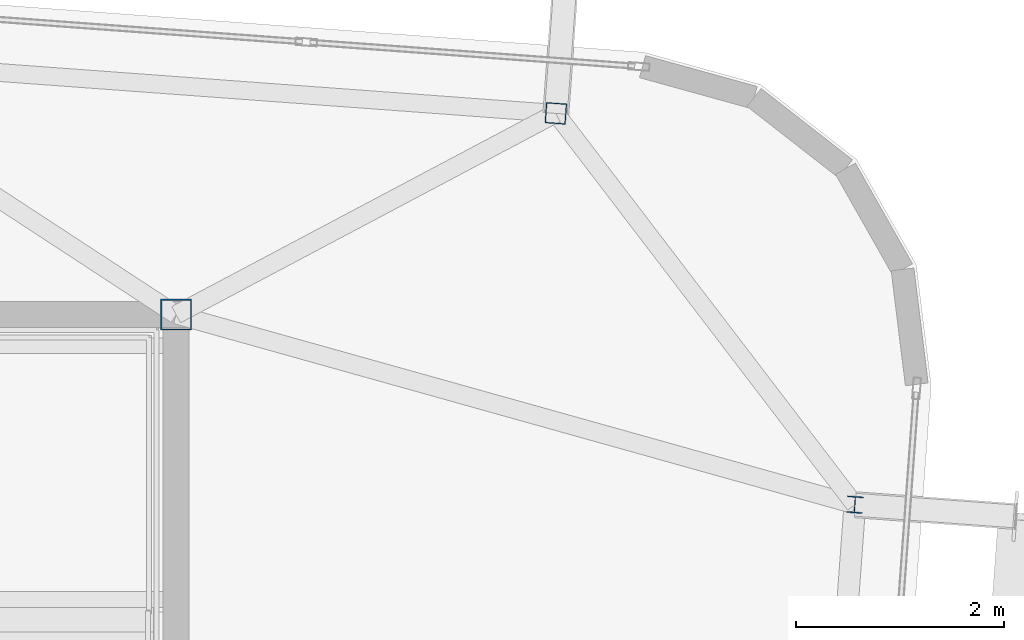
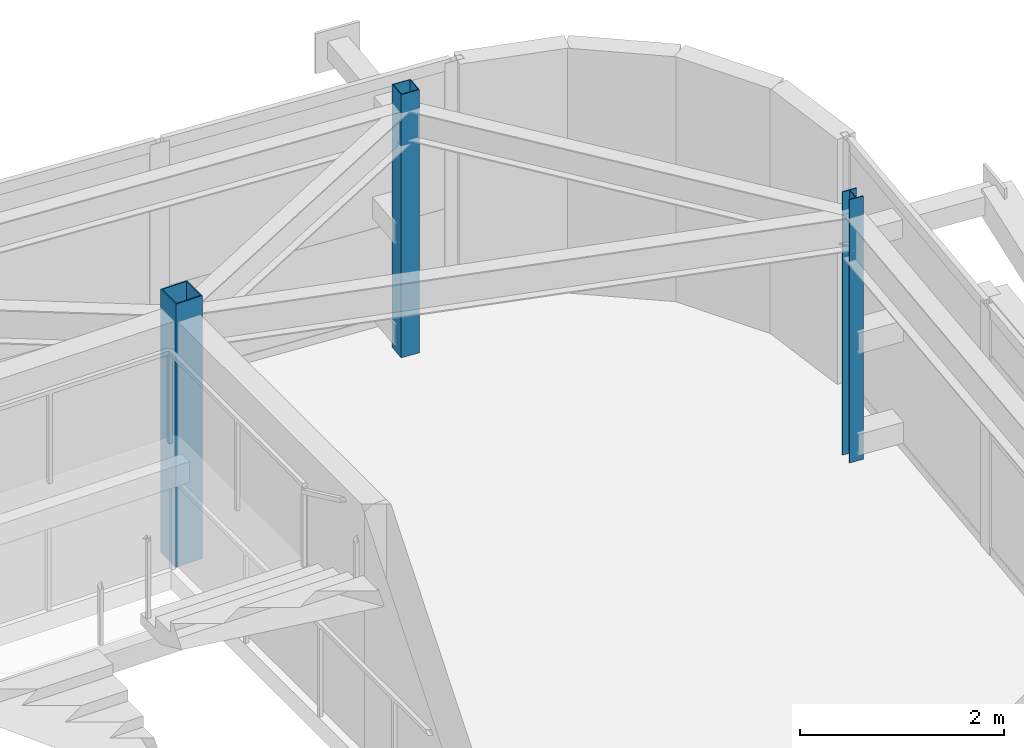
# One storey, part 6 of 42: 3 columns.
"""IFC4 building model written with IfcOpenShell, lengths in metres."""

from ifc_helpers import new_model, si_unit, direction, frame, origin, origin_2d, place, context, subcontext, project, spatial, hollow_rectangle, i_section, extrude, source, transform, mapped, material, material_profile, profile_set, type_object, element, save


model = new_model("IFC4")

# Units and contexts
model_context = context("Model", 3, precision=1e-05, world=origin(), true_north=direction((0.0, 1.0)))
body_context = subcontext(model_context, "Body", "Model", "MODEL_VIEW")
ifc_project = project(units=[si_unit("LENGTHUNIT", "METRE"), si_unit("AREAUNIT", "SQUARE_METRE"), si_unit("VOLUMEUNIT", "CUBIC_METRE"), si_unit("PLANEANGLEUNIT", "RADIAN"), si_unit("MASSUNIT", "GRAM", prefix="KILO")], contexts=[model_context])

# Site, building, storey
site_placement = place(None, origin())
site = spatial("IfcSite", under=ifc_project, at=site_placement, CompositionType="ELEMENT")
building_placement = place(site_placement, origin())
building = spatial("IfcBuilding", under=site, at=building_placement, Name="Taldren Reach Tower", CompositionType="ELEMENT")
storey_placement = place(building_placement, frame((0.0, 0.0, 220.85009765625)))
storey = spatial("IfcBuildingStorey", under=building, at=storey_placement, Name="L67", CompositionType="ELEMENT", Elevation=220.85009765625)

# Columns
ifc_material_1 = material(Name="Steel Gr 450 (C450L0)", Category="steel")
ifc_material_profile_1 = material_profile(ifc_material_1, hollow_rectangle(XDim=0.300048828125, YDim=0.300048828125, WallThickness=0.012451171875, at=origin_2d()), Name="300x300x12.5SHS")
ifc_profile_set_1 = profile_set([ifc_material_profile_1], Name="Steel Gr 450 (C450L0)")
column_type_1 = type_object("IfcColumnType", Name="COL-SHS300", PredefinedType="COLUMN", material=ifc_profile_set_1)
shared_shape_1 = source(origin(), body_context, "Body", "SweptSolid", [
    extrude(hollow_rectangle(XDim=0.300048828125, YDim=0.300048828125, WallThickness=0.012451171875, at=origin_2d()), origin(), (0.0, 0.0, 1.0), 3.14990234375),
])
column_1_placement = place(storey_placement, frame((51.0, 32.0, 0.0), z_axis=(0.0, 0.0, 1.0), x_axis=(1.0, 0.0, 0.0)))
element("IfcColumn", 1, at=column_1_placement, inside=storey, type_object=column_type_1, Name="Mega column MC-C8 L67", PredefinedType="COLUMN", context=body_context, shape_type="MappedRepresentation", body=[
    mapped(shared_shape_1, transform((0.0, 0.0, 0.0), scale=1.0)),
])
ifc_material_2 = material(Name="Steel Gr 350 (C350L0)", Category="steel")
ifc_material_profile_2 = material_profile(ifc_material_2, hollow_rectangle(XDim=0.199951171875, YDim=0.199951171875, WallThickness=0.009033203125, at=origin_2d()), Name="200x200x9.0SHS")
ifc_profile_set_2 = profile_set([ifc_material_profile_2], Name="Steel Gr 350 (C350L0)")
column_type_2 = type_object("IfcColumnType", Name="COL-SHS200", PredefinedType="COLUMN", material=ifc_profile_set_2)
shared_shape_2 = source(origin(), body_context, "Body", "SweptSolid", [
    extrude(hollow_rectangle(XDim=0.199951171875, YDim=0.199951171875, WallThickness=0.009033203125, at=origin_2d()), origin(), (0.0, 0.0, 1.0), 3.14990234375),
])
column_2_placement = place(storey_placement, frame((54.659423828125, 33.939697265625, 0.0), z_axis=(0.0, 0.0, 1.0), x_axis=(0.997314477224, -0.073238197128, 0.0)))
element("IfcColumn", 2, at=column_2_placement, inside=storey, type_object=column_type_2, Name="Block B5 perimeter column N6 L67", PredefinedType="COLUMN", context=body_context, shape_type="MappedRepresentation", body=[
    mapped(shared_shape_2, transform((0.0, 0.0, 0.0), scale=1.0)),
])
ifc_material_3 = material(Name="Steel Gr 350 (350PLUS)", Category="steel")
ifc_material_profile_3 = material_profile(ifc_material_3, i_section(OverallWidth=0.154052734375, OverallDepth=0.162109375, WebThickness=0.008056640625, FlangeThickness=0.011474609375, at=origin_2d()), Name="150UC37.2")
ifc_profile_set_3 = profile_set([ifc_material_profile_3], Name="Steel Gr 350 (350PLUS)")
column_type_3 = type_object("IfcColumnType", Name="COL-UC150", PredefinedType="COLUMN", material=ifc_profile_set_3)
shared_shape_3 = source(origin(), body_context, "Body", "SweptSolid", [
    extrude(i_section(OverallWidth=0.154052734375, OverallDepth=0.162109375, WebThickness=0.008056640625, FlangeThickness=0.011474609375, at=origin_2d()), origin(), (0.0, 0.0, 1.0), 3.14990234375),
])
column_3_placement = place(storey_placement, frame((57.540771484375, 30.168701171875, 0.0), z_axis=(0.0, 0.0, 1.0), x_axis=(0.997314477224, -0.073238197128, 0.0)))
element("IfcColumn", 3, at=column_3_placement, inside=storey, type_object=column_type_3, Name="Block B5 perimeter column E3 L67", PredefinedType="COLUMN", context=body_context, shape_type="MappedRepresentation", body=[
    mapped(shared_shape_3, transform((0.0, 0.0, 0.0), scale=1.0)),
])

save(model, "model.ifc")
